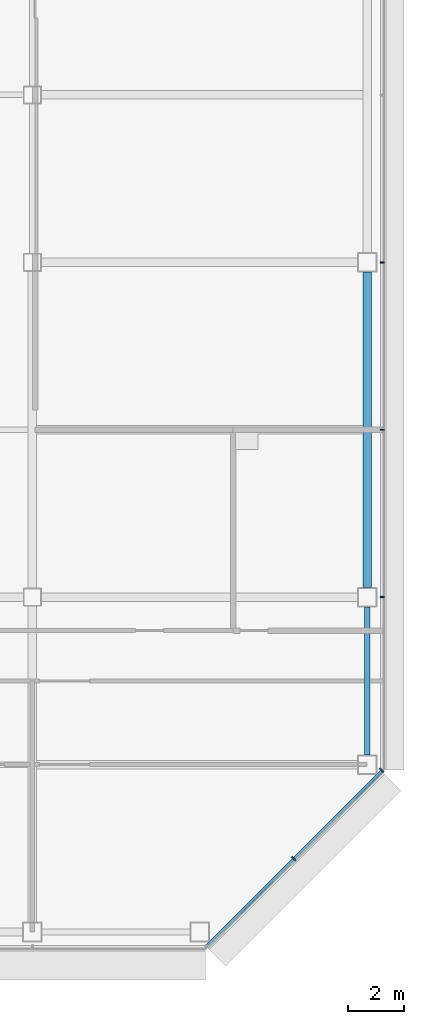
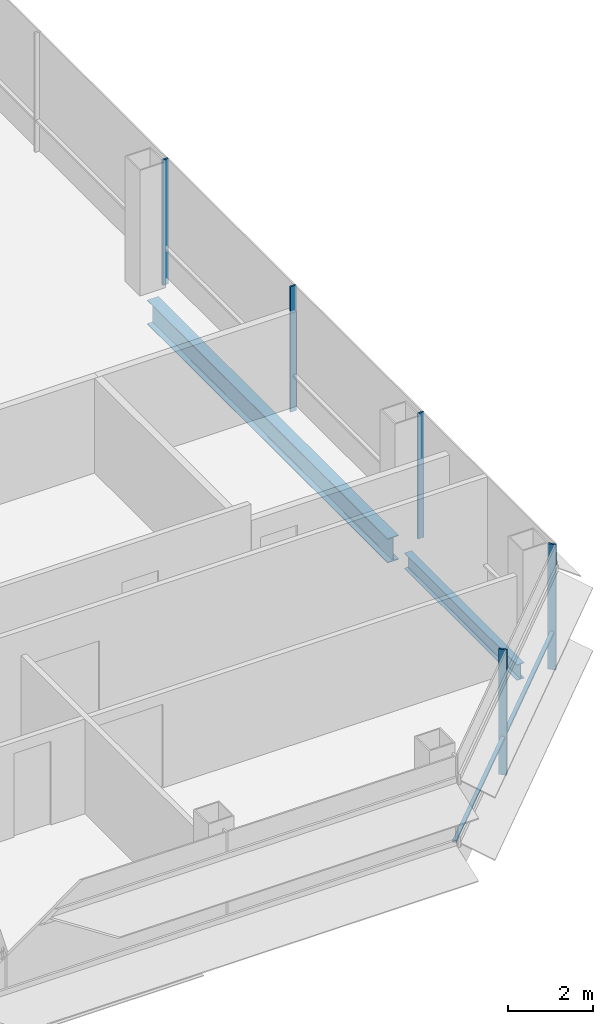
# One storey, part 15 of 24: 6 members, 2 beams, 2 elements without a shape of their own.
"""IFC4 building model written with IfcOpenShell, lengths in metres."""

from ifc_helpers import new_model, si_unit, direction, frame, origin, origin_2d, place, context, subcontext, project, spatial, rectangle, i_section, extrude, material, material_profile, profile_set, type_object, element, aggregate, save


model = new_model("IFC4")

# Units and contexts
model_context = context("Model", 3, precision=1e-05, world=origin(), true_north=direction((0.0, 1.0)))
body_context = subcontext(model_context, "Body", "Model", "MODEL_VIEW")
ifc_project = project(units=[si_unit("LENGTHUNIT", "METRE"), si_unit("AREAUNIT", "SQUARE_METRE"), si_unit("VOLUMEUNIT", "CUBIC_METRE"), si_unit("PLANEANGLEUNIT", "RADIAN"), si_unit("MASSUNIT", "GRAM", prefix="KILO")], contexts=[model_context])

# Site, building, storey
site_placement = place(None, origin())
site = spatial("IfcSite", under=ifc_project, at=site_placement, CompositionType="ELEMENT")
building_placement = place(site_placement, origin())
building = spatial("IfcBuilding", under=site, at=building_placement, Name="Sorahane Residences", CompositionType="ELEMENT")
storey_placement = place(building_placement, frame((0.0, 0.0, 174.39990234375)))
storey = spatial("IfcBuildingStorey", under=building, at=storey_placement, Name="L40", CompositionType="ELEMENT", Elevation=174.39990234375)

# Curtain wall, members
ifc_material_1 = material(Name="Dark low-e glass and black anodised aluminium", Category="aluminium")
curtain_wall_type_1 = type_object("IfcCurtainWallType", Name="Curtain wall CW-1 Typical unitised wall", PredefinedType="NOTDEFINED", material=ifc_material_1)
curtain_wall_1_placement = place(storey_placement, origin())
curtain_wall_1 = element("IfcCurtainWall", 1, at=curtain_wall_1_placement, inside=storey, type_object=curtain_wall_type_1, Name="CW-1 curtain wall L40 E1", PredefinedType="NOTDEFINED")
ifc_material_2 = material(Name="Black anodised aluminium", Category="aluminium")
ifc_material_profile_1 = material_profile(ifc_material_2, rectangle(XDim=0.159912109375, YDim=0.050048828125, at=origin_2d()), Name="Curtain wall mullion CW-1 black anodised aluminium 50x160")
ifc_profile_set_1 = profile_set([ifc_material_profile_1], Name="Black anodised aluminium")
member_type_1 = type_object("IfcMemberType", Name="Curtain wall mullion CW-1 black anodised aluminium 50x160", PredefinedType="MULLION", material=ifc_profile_set_1)
member_1_placement = place(storey_placement, frame((60.5400390625, 12.0, -0.179931640625), z_axis=(0.0, 0.0, 1.0), x_axis=(1.0, 0.0, 0.0)))
member_1 = element("IfcMember", 2, at=member_1_placement, type_object=member_type_1, Name="CW-1 mullion L40 E1.2", PredefinedType="MULLION", context=body_context, shape_type="SweptSolid", body=[
    extrude(rectangle(XDim=0.159912109375, YDim=0.050048828125, at=origin_2d()), origin(), (0.0, 0.0, 1.0), 3.60009765625),
])
member_2_placement = place(storey_placement, frame((60.5400390625, 18.0, -0.179931640625), z_axis=(0.0, 0.0, 1.0), x_axis=(1.0, 0.0, 0.0)))
member_2 = element("IfcMember", 3, at=member_2_placement, type_object=member_type_1, Name="CW-1 mullion L40 E1.3", PredefinedType="MULLION", context=body_context, shape_type="SweptSolid", body=[
    extrude(rectangle(XDim=0.159912109375, YDim=0.050048828125, at=origin_2d()), origin(), (0.0, 0.0, 1.0), 3.60009765625),
])
member_3_placement = place(storey_placement, frame((60.5400390625, 24.0, -0.179931640625), z_axis=(0.0, 0.0, 1.0), x_axis=(1.0, 0.0, 0.0)))
member_3 = element("IfcMember", 4, at=member_3_placement, type_object=member_type_1, Name="CW-1 mullion L40 E1.4", PredefinedType="MULLION", context=body_context, shape_type="SweptSolid", body=[
    extrude(rectangle(XDim=0.159912109375, YDim=0.050048828125, at=origin_2d()), origin(), (0.0, 0.0, 1.0), 3.60009765625),
])
aggregate(curtain_wall_1, [member_1, member_2, member_3])

ifc_material_3 = material(Name="Dark low-e glass and black anodised aluminium", Category="aluminium")
curtain_wall_type_2 = type_object("IfcCurtainWallType", Name="Curtain wall CW-2 Chamfer unitised wall", PredefinedType="NOTDEFINED", material=ifc_material_3)
curtain_wall_2_placement = place(storey_placement, origin())
curtain_wall_2 = element("IfcCurtainWall", 5, at=curtain_wall_2_placement, inside=storey, type_object=curtain_wall_type_2, Name="CW-2 curtain wall L40 SE1", PredefinedType="NOTDEFINED")
ifc_material_4 = material(Name="Black anodised aluminium", Category="aluminium")
ifc_material_profile_2 = material_profile(ifc_material_4, rectangle(XDim=0.199951171875, YDim=0.050048828125, at=origin_2d()), Name="Curtain wall mullion CW-2 black anodised aluminium 50x200")
ifc_profile_set_2 = profile_set([ifc_material_profile_2], Name="Black anodised aluminium")
member_type_2 = type_object("IfcMemberType", Name="Curtain wall mullion CW-2 black anodised aluminium 50x200", PredefinedType="MULLION", material=ifc_profile_set_2)
member_4_placement = place(storey_placement, frame((57.36767578125, 2.63232421875, -0.179931640625), z_axis=(0.0, 0.0, 1.0), x_axis=(0.707106781187, -0.707106781187, 0.0)))
member_4 = element("IfcMember", 6, at=member_4_placement, type_object=member_type_2, Name="CW-2 mullion L40 SE1.2", PredefinedType="MULLION", context=body_context, shape_type="SweptSolid", body=[
    extrude(rectangle(XDim=0.199951171875, YDim=0.050048828125, at=origin_2d()), origin(), (0.0, 0.0, 1.0), 3.60009765625),
])
member_5_placement = place(storey_placement, frame((60.525634765625, 5.790283203125, -0.179931640625), z_axis=(0.0, 0.0, 1.0), x_axis=(0.707106781187, -0.707106781187, 0.0)))
member_5 = element("IfcMember", 7, at=member_5_placement, type_object=member_type_2, Name="CW-2 mullion L40 SE1.3", PredefinedType="MULLION", context=body_context, shape_type="SweptSolid", body=[
    extrude(rectangle(XDim=0.199951171875, YDim=0.050048828125, at=origin_2d()), origin(), (0.0, 0.0, 1.0), 3.60009765625),
])
ifc_material_5 = material(Name="Black anodised aluminium", Category="aluminium")
ifc_material_profile_3 = material_profile(ifc_material_5, rectangle(XDim=0.10009765625, YDim=0.06005859375, at=origin_2d()), Name="Curtain wall transom CW-2 black anodised aluminium 60x100")
ifc_profile_set_3 = profile_set([ifc_material_profile_3], Name="Black anodised aluminium")
member_type_3 = type_object("IfcMemberType", Name="Curtain wall transom CW-2 black anodised aluminium 60x100", PredefinedType="USERDEFINED", material=ifc_profile_set_3)
member_6_placement = place(storey_placement, frame((54.234375, -0.51513671875, 0.900146484375), z_axis=(0.707106781187, 0.707106781187, 0.0), x_axis=(-0.707106781187, 0.707106781187, 0.0)))
member_6 = element("IfcMember", 8, at=member_6_placement, type_object=member_type_3, Name="CW-2 transom L40 SE1", ObjectType="TRANSOM", PredefinedType="USERDEFINED", context=body_context, shape_type="SweptSolid", body=[
    extrude(rectangle(XDim=0.10009765625, YDim=0.06005859375, at=origin_2d()), origin(), (0.0, 0.0, 1.0), 8.88232421875),
])
aggregate(curtain_wall_2, [member_4, member_5, member_6])

# Beams
ifc_material_6 = material(Name="Steel Q355B", Category="steel")
ifc_material_profile_4 = material_profile(ifc_material_6, i_section(OverallWidth=0.199951171875, OverallDepth=0.449951171875, WebThickness=0.009033203125, FlangeThickness=0.013916015625, FilletRadius=0.02001953125, at=origin_2d()), Name="HN 450x200x9x14")
ifc_profile_set_4 = profile_set([ifc_material_profile_4], Name="Steel Q355B")
beam_type_1 = type_object("IfcBeamType", Name="Steel floor beam HN 450x200x9x14 Q355B", PredefinedType="BEAM", material=ifc_profile_set_4)
beam_1_placement = place(storey_placement, frame((60.0, 6.35009765625, -0.40478515625), z_axis=(0.0, 1.0, 0.0), x_axis=(-1.0, 0.0, 0.0)))
element("IfcBeam", 9, at=beam_1_placement, inside=storey, type_object=beam_type_1, Name="Beam L40 064", PredefinedType="BEAM", context=body_context, shape_type="SweptSolid", body=[
    extrude(i_section(OverallWidth=0.199951171875, OverallDepth=0.449951171875, WebThickness=0.009033203125, FlangeThickness=0.013916015625, FilletRadius=0.02001953125, at=origin_2d()), origin(), (0.0, 0.0, 1.0), 5.2998046875),
])
ifc_material_7 = material(Name="Steel Q355B", Category="steel")
ifc_material_profile_5 = material_profile(ifc_material_7, i_section(OverallWidth=0.300048828125, OverallDepth=0.699951171875, WebThickness=0.012939453125, FlangeThickness=0.02392578125, FilletRadius=0.028076171875, at=origin_2d()), Name="HN 700x300x13x24")
ifc_profile_set_5 = profile_set([ifc_material_profile_5], Name="Steel Q355B")
beam_type_2 = type_object("IfcBeamType", Name="Steel floor beam HN 700x300x13x24 Q355B", PredefinedType="BEAM", material=ifc_profile_set_5)
beam_2_placement = place(storey_placement, frame((60.0, 12.35009765625, -0.52978515625), z_axis=(0.0, 1.0, 0.0), x_axis=(-1.0, 0.0, 0.0)))
element("IfcBeam", 10, at=beam_2_placement, inside=storey, type_object=beam_type_2, Name="Beam L40 065", PredefinedType="BEAM", context=body_context, shape_type="SweptSolid", body=[
    extrude(i_section(OverallWidth=0.300048828125, OverallDepth=0.699951171875, WebThickness=0.012939453125, FlangeThickness=0.02392578125, FilletRadius=0.028076171875, at=origin_2d()), origin(), (0.0, 0.0, 1.0), 11.2998046875),
])

save(model, "model.ifc")
